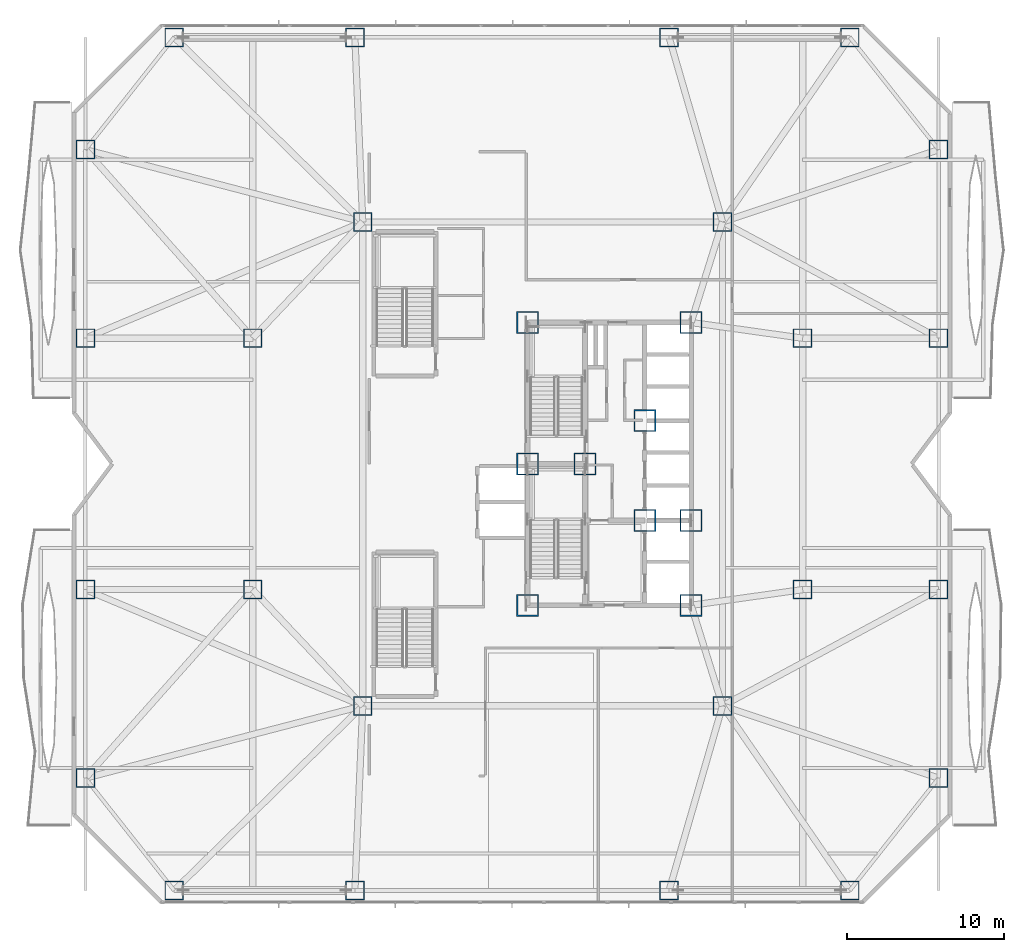
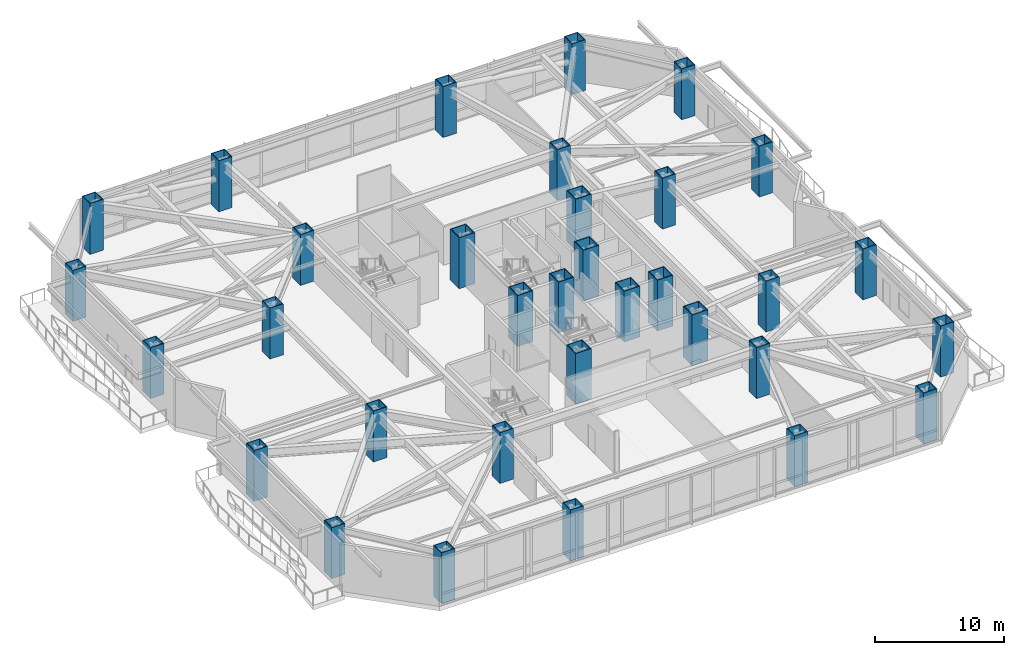
# One storey, part 1 of 33: 33 columns.
"""IFC4 building model written with IfcOpenShell, lengths in metres."""

from ifc_helpers import new_model, si_unit, direction, frame, origin, origin_2d, place, context, subcontext, project, spatial, hollow_rectangle, extrude, material, material_profile, profile_set, type_object, element, save


model = new_model("IFC4")

# Units and contexts
model_context = context("Model", 3, precision=1e-05, world=origin(), true_north=direction((0.0, 1.0)))
body_context = subcontext(model_context, "Body", "Model", "MODEL_VIEW")
ifc_project = project(units=[si_unit("LENGTHUNIT", "METRE"), si_unit("AREAUNIT", "SQUARE_METRE"), si_unit("VOLUMEUNIT", "CUBIC_METRE"), si_unit("PLANEANGLEUNIT", "RADIAN"), si_unit("MASSUNIT", "GRAM", prefix="KILO")], contexts=[model_context])

# Site, building, storey
site_placement = place(None, origin())
site = spatial("IfcSite", under=ifc_project, at=site_placement, CompositionType="ELEMENT")
building_placement = place(site_placement, origin())
building = spatial("IfcBuilding", under=site, at=building_placement, Name="Khamvora Tower", CompositionType="ELEMENT")
storey_placement = place(building_placement, frame((0.0, 0.0, 7.199951171875)))
storey = spatial("IfcBuildingStorey", under=building, at=storey_placement, Name="L01", CompositionType="ELEMENT", Elevation=7.199951171875)

# Columns
ifc_material = material(Name="Steel S460", Category="steel")
ifc_material_profile_1 = material_profile(ifc_material, hollow_rectangle(XDim=1.199951171875, YDim=1.199951171875, WallThickness=0.06005859375, at=origin_2d()), Name="BOX1200x1200x60")
ifc_profile_set_1 = profile_set([ifc_material_profile_1], Name="Steel S460")
column_type_1 = type_object("IfcColumnType", Name="COL-BOX1200", PredefinedType="COLUMN", material=ifc_profile_set_1)
for number, where, z_axis, x_axis, name in (
    (1, (6.5, 0.85009765625, 0.0), (0.0, 0.0, 1.0), (1.0, 0.0, 0.0), "L01 structural frame column P01"),
    (2, (18.0, 0.85009765625, 0.0), (0.0, 0.0, 1.0), (1.0, 0.0, 0.0), "L01 structural frame column P02"),
    (3, (38.0, 0.85009765625, 0.0), (0.0, 0.0, 1.0), (1.0, 0.0, 0.0), "L01 structural frame column P03"),
    (4, (49.5, 0.85009765625, 0.0), (0.0, 0.0, 1.0), (1.0, 0.0, 0.0), "L01 structural frame column P04"),
    (5, (6.5, 55.14990234375, 0.0), (0.0, 0.0, 1.0), (1.0, 0.0, 0.0), "L01 structural frame column P05"),
    (6, (18.0, 55.14990234375, 0.0), (0.0, 0.0, 1.0), (1.0, 0.0, 0.0), "L01 structural frame column P06"),
    (7, (38.0, 55.14990234375, 0.0), (0.0, 0.0, 1.0), (1.0, 0.0, 0.0), "L01 structural frame column P07"),
    (8, (49.5, 55.14990234375, 0.0), (0.0, 0.0, 1.0), (1.0, 0.0, 0.0), "L01 structural frame column P08"),
    (9, (0.85009765625, 8.0, 0.0), (0.0, 0.0, 1.0), (1.0, 0.0, 0.0), "L01 structural frame column P09"),
    (10, (0.85009765625, 20.0, 0.0), (0.0, 0.0, 1.0), (1.0, 0.0, 0.0), "L01 structural frame column P10"),
    (11, (0.85009765625, 36.0, 0.0), (0.0, 0.0, 1.0), (1.0, 0.0, 0.0), "L01 structural frame column P11"),
    (12, (0.85009765625, 48.0, 0.0), (0.0, 0.0, 1.0), (1.0, 0.0, 0.0), "L01 structural frame column P12"),
    (13, (55.14990234375, 8.0, 0.0), (0.0, 0.0, 1.0), (1.0, 0.0, 0.0), "L01 structural frame column P13"),
    (14, (55.14990234375, 20.0, 0.0), (0.0, 0.0, 1.0), (1.0, 0.0, 0.0), "L01 structural frame column P14"),
    (15, (55.14990234375, 36.0, 0.0), (0.0, 0.0, 1.0), (1.0, 0.0, 0.0), "L01 structural frame column P15"),
    (16, (55.14990234375, 48.0, 0.0), (0.0, 0.0, 1.0), (1.0, 0.0, 0.0), "L01 structural frame column P16"),
    (17, (18.5, 12.60009765625, 0.0), (0.0, 0.0, 1.0), (1.0, 0.0, 0.0), "L01 structural frame column P17"),
    (18, (41.39990234375, 12.60009765625, 0.0), (0.0, 0.0, 1.0), (1.0, 0.0, 0.0), "L01 structural frame column P18"),
    (19, (18.5, 43.39990234375, 0.0), (0.0, 0.0, 1.0), (1.0, 0.0, 0.0), "L01 structural frame column P19"),
    (20, (41.39990234375, 43.39990234375, 0.0), (0.0, 0.0, 1.0), (1.0, 0.0, 0.0), "L01 structural frame column P20"),
    (21, (11.5, 20.0, 0.0), (0.0, 0.0, 1.0), (1.0, 0.0, 0.0), "L01 structural frame column P21"),
    (22, (11.5, 36.0, 0.0), (0.0, 0.0, 1.0), (1.0, 0.0, 0.0), "L01 structural frame column P22"),
    (23, (46.5, 20.0, 0.0), (0.0, 0.0, 1.0), (1.0, 0.0, 0.0), "L01 structural frame column P23"),
    (24, (46.5, 36.0, 0.0), (0.0, 0.0, 1.0), (1.0, 0.0, 0.0), "L01 structural frame column P24"),
):
    element("IfcColumn", number, at=place(storey_placement, frame(where, z_axis=z_axis, x_axis=x_axis)), inside=storey, type_object=column_type_1, Name=name, PredefinedType="COLUMN", context=body_context, shape_type="SweptSolid", body=[
        extrude(hollow_rectangle(XDim=1.199951171875, YDim=1.199951171875, WallThickness=0.06005859375, at=origin_2d()), origin(), (0.0, 0.0, 1.0), 4.800048828125),
    ])
ifc_material_profile_2 = material_profile(ifc_material, hollow_rectangle(XDim=1.39990234375, YDim=1.39990234375, WallThickness=0.070068359375, at=origin_2d()), Name="BOX1400x1400x70")
ifc_profile_set_2 = profile_set([ifc_material_profile_2], Name="Steel S460")
column_type_2 = type_object("IfcColumnType", Name="COL-BOX1400", PredefinedType="COLUMN", material=ifc_profile_set_2)
for number, where, z_axis, x_axis, name in (
    (25, (29.0, 19.0, 0.0), (0.0, 0.0, 1.0), (1.0, 0.0, 0.0), "L01 plumb core spine column SC1"),
    (26, (32.64990234375, 28.0, 0.0), (0.0, 0.0, 1.0), (1.0, 0.0, 0.0), "L01 plumb core spine column SC2"),
    (27, (39.39990234375, 19.0, 0.0), (0.0, 0.0, 1.0), (1.0, 0.0, 0.0), "L01 plumb core spine column SC3"),
    (28, (29.0, 28.0, 0.0), (0.0, 0.0, 1.0), (1.0, 0.0, 0.0), "L01 plumb core spine column SC4"),
    (29, (36.449951171875, 24.39990234375, 0.0), (0.0, 0.0, 1.0), (1.0, 0.0, 0.0), "L01 plumb core spine column SC5"),
    (30, (39.39990234375, 24.39990234375, 0.0), (0.0, 0.0, 1.0), (1.0, 0.0, 0.0), "L01 plumb core spine column SC6"),
    (31, (29.0, 37.0, 0.0), (0.0, 0.0, 1.0), (1.0, 0.0, 0.0), "L01 plumb core spine column SC7"),
    (32, (36.449951171875, 30.75, 0.0), (0.0, 0.0, 1.0), (1.0, 0.0, 0.0), "L01 plumb core spine column SC8"),
    (33, (39.39990234375, 37.0, 0.0), (0.0, 0.0, 1.0), (1.0, 0.0, 0.0), "L01 plumb core spine column SC9"),
):
    element("IfcColumn", number, at=place(storey_placement, frame(where, z_axis=z_axis, x_axis=x_axis)), inside=storey, type_object=column_type_2, Name=name, PredefinedType="COLUMN", context=body_context, shape_type="SweptSolid", body=[
        extrude(hollow_rectangle(XDim=1.39990234375, YDim=1.39990234375, WallThickness=0.070068359375, at=origin_2d()), origin(), (0.0, 0.0, 1.0), 4.800048828125),
    ])

save(model, "model.ifc")
